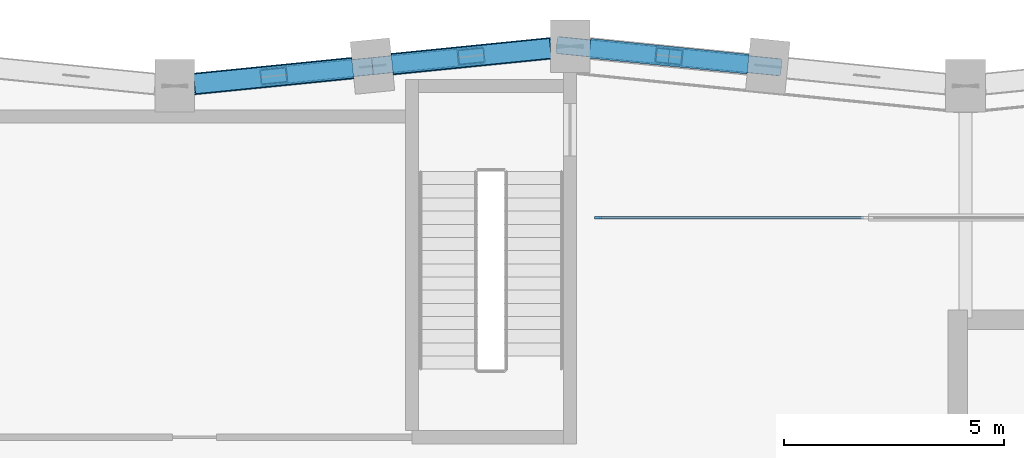
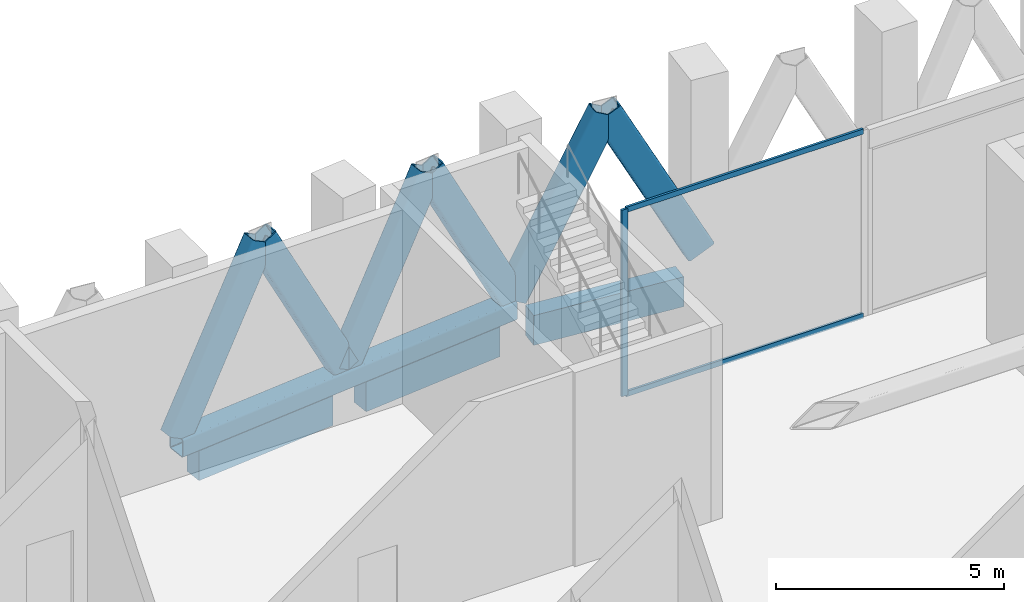
# One storey, part 12 of 37: 10 members, 3 beams, 1 element without a shape of its own.
"""IFC4 building model written with IfcOpenShell, lengths in metres."""

from ifc_helpers import new_model, si_unit, direction, frame, origin, origin_2d, place, context, subcontext, project, spatial, rectangle, hollow_rectangle, extrude, material, material_profile, profile_set, type_object, element, aggregate, save


model = new_model("IFC4")

# Units and contexts
model_context = context("Model", 3, precision=1e-05, world=origin(), true_north=direction((0.0, 1.0)))
body_context = subcontext(model_context, "Body", "Model", "MODEL_VIEW")
ifc_project = project(units=[si_unit("LENGTHUNIT", "METRE"), si_unit("AREAUNIT", "SQUARE_METRE"), si_unit("VOLUMEUNIT", "CUBIC_METRE"), si_unit("PLANEANGLEUNIT", "RADIAN"), si_unit("MASSUNIT", "GRAM", prefix="KILO")], contexts=[model_context])

# Site, building, storey
site_placement = place(None, origin())
site = spatial("IfcSite", under=ifc_project, at=site_placement, CompositionType="ELEMENT")
building_placement = place(site_placement, origin())
building = spatial("IfcBuilding", under=site, at=building_placement, Name="Brondeck Convention Tower", CompositionType="ELEMENT")
storey_placement = place(building_placement, frame((0.0, 0.0, 137.89990234375)))
storey = spatial("IfcBuildingStorey", under=building, at=storey_placement, Name="L33", CompositionType="ELEMENT", Elevation=137.89990234375)

# Curtain wall, members
ifc_material_1 = material(Name="Aluminium, bronze anodised", Category="aluminium")
curtain_wall_type = type_object("IfcCurtainWallType", Name="Sky lobby curtain wall", PredefinedType="NOTDEFINED", material=ifc_material_1)
curtain_wall_placement = place(storey_placement, origin())
curtain_wall = element("IfcCurtainWall", 1, at=curtain_wall_placement, inside=storey, type_object=curtain_wall_type, Name="ENV-L33-028-CW32", PredefinedType="NOTDEFINED")
ifc_material_profile_1 = material_profile(ifc_material_1, rectangle(XDim=0.06005859375, YDim=0.159912109375, at=origin_2d()), Name="CW3 mullion")
ifc_profile_set_1 = profile_set([ifc_material_profile_1], Name="Aluminium, bronze anodised")
member_type_1 = type_object("IfcMemberType", Name="CW3 mullion", PredefinedType="MULLION", material=ifc_profile_set_1)
member_1_placement = place(storey_placement, frame((27.6298828125, 60.0, 0.0), z_axis=(0.0, 0.0, 1.0), x_axis=(0.0, 1.0, 0.0)))
member_1 = element("IfcMember", 2, at=member_1_placement, type_object=member_type_1, Name="CW3 mullion 1", PredefinedType="MULLION", context=body_context, shape_type="SweptSolid", body=[
    extrude(rectangle(XDim=0.06005859375, YDim=0.159912109375, at=origin_2d()), origin(), (0.0, 0.0, 1.0), 5.0),
])
ifc_material_profile_2 = material_profile(ifc_material_1, rectangle(XDim=0.06005859375, YDim=0.139892578125, at=origin_2d()), Name="CW3 transom")
ifc_profile_set_2 = profile_set([ifc_material_profile_2], Name="Aluminium, bronze anodised")
member_type_2 = type_object("IfcMemberType", Name="CW3 transom", PredefinedType="USERDEFINED", material=ifc_profile_set_2)
member_2_placement = place(storey_placement, frame((27.659912109375, 60.0, 0.030029296875), z_axis=(1.0, 0.0, 0.0), x_axis=(0.0, 1.0, 0.0)))
member_2 = element("IfcMember", 3, at=member_2_placement, type_object=member_type_2, Name="CW3 transom 1.1", ObjectType="TRANSOM", PredefinedType="USERDEFINED", context=body_context, shape_type="SweptSolid", body=[
    extrude(rectangle(XDim=0.06005859375, YDim=0.139892578125, at=origin_2d()), origin(), (0.0, 0.0, 1.0), 6.016845703125),
])
member_3_placement = place(storey_placement, frame((27.659912109375, 60.0, 4.97021484375), z_axis=(1.0, 0.0, 0.0), x_axis=(0.0, 1.0, 0.0)))
member_3 = element("IfcMember", 4, at=member_3_placement, type_object=member_type_2, Name="CW3 transom 1.2", ObjectType="TRANSOM", PredefinedType="USERDEFINED", context=body_context, shape_type="SweptSolid", body=[
    extrude(rectangle(XDim=0.06005859375, YDim=0.139892578125, at=origin_2d()), origin(), (0.0, 0.0, 1.0), 6.016845703125),
])
aggregate(curtain_wall, [member_1, member_2, member_3])

# Members
ifc_material_2 = material(Name="Steel S460", Category="steel")
ifc_material_profile_3 = material_profile(ifc_material_2, hollow_rectangle(XDim=0.39990234375, YDim=0.699951171875, WallThickness=0.030029296875, InnerFilletRadius=0.030029296875, OuterFilletRadius=0.06005859375, at=origin_2d()), Name="RHS 700x400x30")
ifc_profile_set_3 = profile_set([ifc_material_profile_3], Name="Steel S460")
member_type_3 = type_object("IfcMemberType", Name="Chevron brace RHS 700x400x30", PredefinedType="BRACE", material=ifc_profile_set_3)
for number, where, z_axis, x_axis, name in (
    (5, (31.5, 63.449951171875, 0.5), (-0.458930303654, 0.045912949215, 0.887285172581), (-0.099546478526, -0.995032913332, 0.0), "Belt truss BT-33-39 diagonal"),
    (6, (27.0, 63.89990234375, 0.5), (0.458931352356, -0.045863256892, 0.887287200117), (0.099439578731, 0.995043602151, 0.0), "Belt truss BT-33-39 diagonal"),
    (7, (27.0, 63.89990234375, 0.5), (-0.458931352356, -0.045863256892, 0.887287200117), (0.099439578731, -0.995043602151, 0.0), "Belt truss BT-33-40 diagonal"),
    (8, (22.5, 63.449951171875, 0.5), (0.458930303654, 0.045912949215, 0.887285172581), (-0.099546478526, 0.995032913332, 0.0), "Belt truss BT-33-40 diagonal"),
    (9, (22.5, 63.449951171875, 0.5), (-0.458931352356, -0.045863256892, 0.887287200117), (0.099439578731, -0.995043602151, 0.0), "Belt truss BT-33-41 diagonal"),
    (10, (18.0, 63.0, 0.5), (0.458930303654, 0.045912949215, 0.887285172581), (-0.099546478526, 0.995032913332, 0.0), "Belt truss BT-33-41 diagonal"),
):
    element("IfcMember", number, at=place(storey_placement, frame(where, z_axis=z_axis, x_axis=x_axis)), inside=storey, type_object=member_type_3, Name=name, PredefinedType="BRACE", context=body_context, shape_type="SweptSolid", body=[
        extrude(hollow_rectangle(XDim=0.39990234375, YDim=0.699951171875, WallThickness=0.030029296875, InnerFilletRadius=0.030029296875, OuterFilletRadius=0.06005859375, at=origin_2d()), origin(), (0.0, 0.0, 1.0), 4.902587890625),
    ])

# Beams
ifc_material_3 = material(Name="Concrete C70/85", Category="concrete")
ifc_material_profile_4 = material_profile(ifc_material_3, rectangle(XDim=0.449951171875, YDim=0.800048828125, at=origin_2d()), Name="Precast spandrel 450x800 Concrete C70/85")
ifc_profile_set_4 = profile_set([ifc_material_profile_4], Name="Concrete C70/85")
beam_type = type_object("IfcBeamType", Name="Precast spandrel 450x800 Concrete C70/85", PredefinedType="SPANDREL", material=ifc_profile_set_4)
for number, where, z_axis, x_axis, name in (
    (11, (31.05224609375, 63.494873046875, -0.39990234375), (-0.995040528141, 0.099470334057, 0.0), (-0.099470334057, -0.995040528141, 0.0), "STR-SP-L33-039"),
    (12, (26.550048828125, 63.85498046875, -0.39990234375), (-0.995040528141, -0.099470334057, 0.0), (0.099470334057, -0.995040528141, 0.0), "STR-SP-L33-040"),
    (13, (22.05224609375, 63.4052734375, -0.39990234375), (-0.995033851182, -0.099537103649, 0.0), (0.099537103649, -0.995033851182, 0.0), "STR-SP-L33-041"),
):
    element("IfcBeam", number, at=place(storey_placement, frame(where, z_axis=z_axis, x_axis=x_axis)), inside=storey, type_object=beam_type, Name=name, PredefinedType="SPANDREL", context=body_context, shape_type="SweptSolid", body=[
        extrude(rectangle(XDim=0.449951171875, YDim=0.800048828125, at=origin_2d()), origin(), (0.0, 0.0, 1.0), 3.620361328125),
    ])

# Member
ifc_material_profile_5 = material_profile(ifc_material_2, hollow_rectangle(XDim=0.5, YDim=0.5, WallThickness=0.02490234375, InnerFilletRadius=0.02490234375, OuterFilletRadius=0.050048828125, at=origin_2d()), Name="RHS 500x500x25")
ifc_profile_set_5 = profile_set([ifc_material_profile_5], Name="Steel S460")
member_type_4 = type_object("IfcMemberType", Name="Truss chord RHS 500x500x25", PredefinedType="CHORD", material=ifc_profile_set_5)
member_4_placement = place(storey_placement, frame((27.0, 63.89990234375, 0.25), z_axis=(-0.995038259148, -0.099493029059, 0.0), x_axis=(0.099493029059, -0.995038259148, 0.0)))
element("IfcMember", 14, at=member_4_placement, inside=storey, type_object=member_type_4, Name="Belt truss BT-33-21 chord", PredefinedType="CHORD", context=body_context, shape_type="SweptSolid", body=[
    extrude(hollow_rectangle(XDim=0.5, YDim=0.5, WallThickness=0.02490234375, InnerFilletRadius=0.02490234375, OuterFilletRadius=0.050048828125, at=origin_2d()), origin(), (0.0, 0.0, 1.0), 9.044921875),
])

save(model, "model.ifc")
